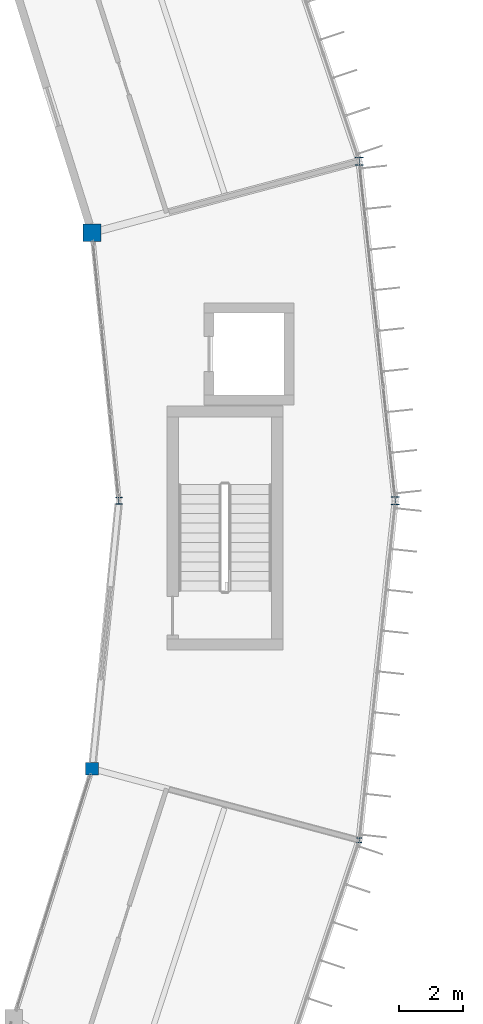
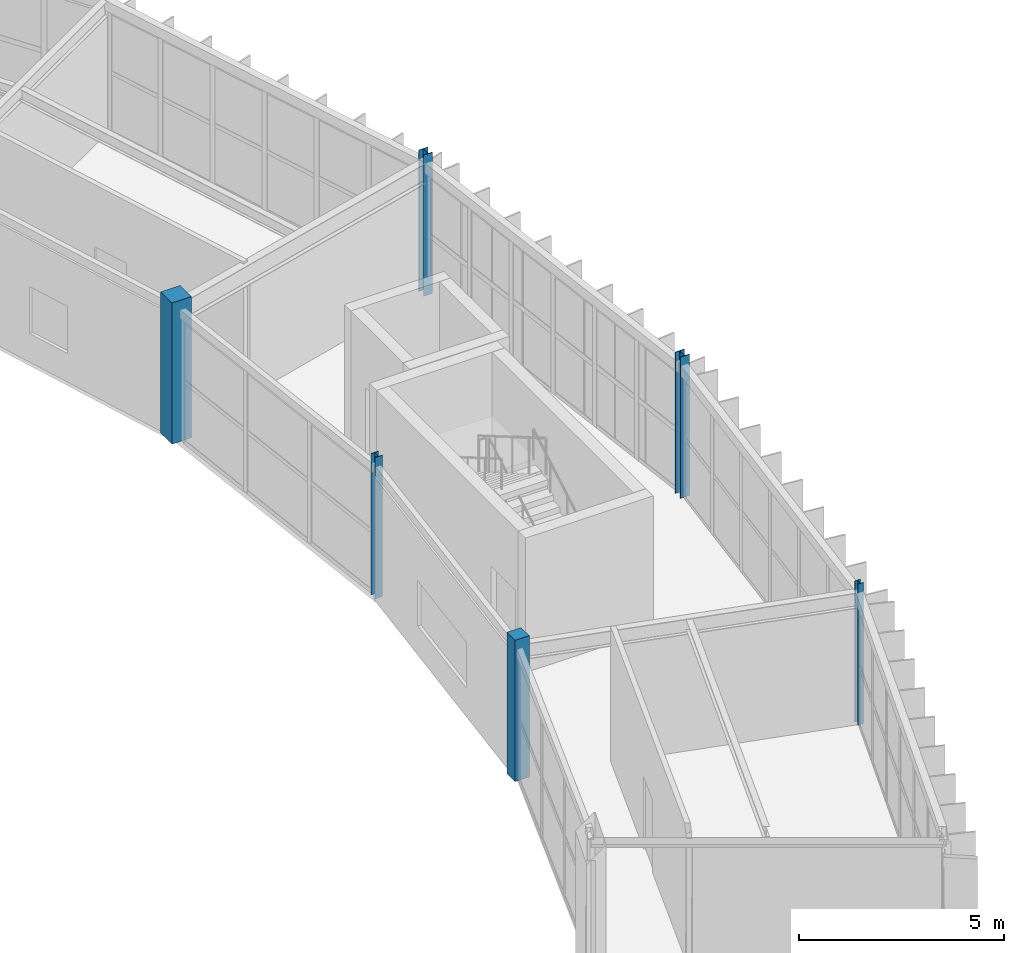
# One storey, part 11 of 130: 6 columns.
"""IFC4 building model written with IfcOpenShell, lengths in metres."""

from ifc_helpers import new_model, si_unit, direction, frame, origin, origin_2d, place, context, subcontext, project, spatial, rectangle, i_section, extrude, material, material_profile, profile_set, type_object, element, save


model = new_model("IFC4")

# Units and contexts
model_context = context("Model", 3, precision=1e-05, world=origin(), true_north=direction((0.0, 1.0)))
body_context = subcontext(model_context, "Body", "Model", "MODEL_VIEW")
ifc_project = project(units=[si_unit("LENGTHUNIT", "METRE"), si_unit("AREAUNIT", "SQUARE_METRE"), si_unit("VOLUMEUNIT", "CUBIC_METRE"), si_unit("PLANEANGLEUNIT", "RADIAN"), si_unit("MASSUNIT", "GRAM", prefix="KILO")], contexts=[model_context])

# Site, building, storey
site_placement = place(None, origin())
site = spatial("IfcSite", under=ifc_project, at=site_placement, CompositionType="ELEMENT")
building_placement = place(site_placement, origin())
building = spatial("IfcBuilding", under=site, at=building_placement, Name="Karori Crest Natural Sciences Institute", CompositionType="ELEMENT")
storey_placement = place(building_placement, frame((0.0, 0.0, 17.5)))
storey = spatial("IfcBuildingStorey", under=building, at=storey_placement, Name="L04", CompositionType="ELEMENT", Elevation=17.5)

# Columns
ifc_material_1 = material(Name="Structural steel AS/NZS 3679.1 Grade 350", Category="steel")
ifc_material_profile_1 = material_profile(ifc_material_1, i_section(OverallWidth=0.256103515625, OverallDepth=0.260009765625, WebThickness=0.010498046875, FlangeThickness=0.017333984375, FilletRadius=0.013916015625, at=origin_2d()), Name="250UC89.5")
ifc_profile_set_1 = profile_set([ifc_material_profile_1], Name="Structural steel AS/NZS 3679.1 Grade 350")
column_type_1 = type_object("IfcColumnType", Name="CT-06", PredefinedType="COLUMN", material=ifc_profile_set_1)
column_1_placement = place(storey_placement, frame((99.39990234375, 49.89990234375, 0.0), z_axis=(0.0, 0.0, 1.0), x_axis=(1.0, 0.0, 0.0)))
element("IfcColumn", 1, at=column_1_placement, inside=storey, type_object=column_type_1, Name="Column C-0011", PredefinedType="COLUMN", context=body_context, shape_type="SweptSolid", body=[
    extrude(i_section(OverallWidth=0.256103515625, OverallDepth=0.260009765625, WebThickness=0.010498046875, FlangeThickness=0.017333984375, FilletRadius=0.013916015625, at=origin_2d()), origin(), (0.0, 0.0, 1.0), 4.199951171875),
])
ifc_material_profile_2 = material_profile(ifc_material_1, i_section(OverallWidth=0.25390625, OverallDepth=0.25390625, WebThickness=0.008544921875, FlangeThickness=0.01416015625, FilletRadius=0.013916015625, at=origin_2d()), Name="250UC72.9")
ifc_profile_set_2 = profile_set([ifc_material_profile_2], Name="Structural steel AS/NZS 3679.1 Grade 350")
column_type_2 = type_object("IfcColumnType", Name="CT-07", PredefinedType="COLUMN", material=ifc_profile_set_2)
column_2_placement = place(storey_placement, frame((98.275634765625, 60.459716796875, 0.0), z_axis=(0.0, 0.0, 1.0), x_axis=(1.0, 0.0, 0.0)))
element("IfcColumn", 2, at=column_2_placement, inside=storey, type_object=column_type_2, Name="Column C-0029", PredefinedType="COLUMN", context=body_context, shape_type="SweptSolid", body=[
    extrude(i_section(OverallWidth=0.25390625, OverallDepth=0.25390625, WebThickness=0.008544921875, FlangeThickness=0.01416015625, FilletRadius=0.013916015625, at=origin_2d()), origin(), (0.0, 0.0, 1.0), 4.199951171875),
])
ifc_material_profile_3 = material_profile(ifc_material_1, i_section(OverallWidth=0.205078125, OverallDepth=0.2099609375, WebThickness=0.00927734375, FlangeThickness=0.01416015625, FilletRadius=0.010986328125, at=origin_2d()), Name="200UC59.5")
ifc_profile_set_3 = profile_set([ifc_material_profile_3], Name="Structural steel AS/NZS 3679.1 Grade 350")
column_type_3 = type_object("IfcColumnType", Name="CT-08", PredefinedType="COLUMN", material=ifc_profile_set_3)
column_3_placement = place(storey_placement, frame((90.800048828125, 49.89990234375, 0.0), z_axis=(0.0, 0.0, 1.0), x_axis=(1.0, 0.0, 0.0)))
element("IfcColumn", 3, at=column_3_placement, inside=storey, type_object=column_type_3, Name="Column C-0012", PredefinedType="COLUMN", context=body_context, shape_type="SweptSolid", body=[
    extrude(i_section(OverallWidth=0.205078125, OverallDepth=0.2099609375, WebThickness=0.00927734375, FlangeThickness=0.01416015625, FilletRadius=0.010986328125, at=origin_2d()), origin(), (0.0, 0.0, 1.0), 4.199951171875),
])
ifc_material_profile_4 = material_profile(ifc_material_1, i_section(OverallWidth=0.154052734375, OverallDepth=0.162109375, WebThickness=0.008056640625, FlangeThickness=0.011474609375, FilletRadius=0.009033203125, at=origin_2d()), Name="150UC37.2")
ifc_profile_set_4 = profile_set([ifc_material_profile_4], Name="Structural steel AS/NZS 3679.1 Grade 350")
column_type_4 = type_object("IfcColumnType", Name="CT-26", PredefinedType="COLUMN", material=ifc_profile_set_4)
column_4_placement = place(storey_placement, frame((98.275634765625, 39.340087890625, 0.0), z_axis=(0.0, 0.0, 1.0), x_axis=(1.0, 0.0, 0.0)))
element("IfcColumn", 4, at=column_4_placement, inside=storey, type_object=column_type_4, Name="Column C-0389", PredefinedType="COLUMN", context=body_context, shape_type="SweptSolid", body=[
    extrude(i_section(OverallWidth=0.154052734375, OverallDepth=0.162109375, WebThickness=0.008056640625, FlangeThickness=0.011474609375, FilletRadius=0.009033203125, at=origin_2d()), origin(), (0.0, 0.0, 1.0), 4.199951171875),
])
ifc_material_2 = material(Name="Concrete 50 MPa", Category="concrete")
ifc_material_profile_5 = material_profile(ifc_material_2, rectangle(XDim=0.550048828125, YDim=0.550048828125, at=origin_2d()), Name="RC550x550")
ifc_profile_set_5 = profile_set([ifc_material_profile_5], Name="Concrete 50 MPa")
column_type_5 = type_object("IfcColumnType", Name="CT-30", PredefinedType="COLUMN", material=ifc_profile_set_5)
column_5_placement = place(storey_placement, frame((89.968505859375, 58.23388671875, 0.0), z_axis=(0.0, 0.0, 1.0), x_axis=(1.0, 0.0, 0.0)))
element("IfcColumn", 5, at=column_5_placement, inside=storey, type_object=column_type_5, Name="Column C-0030", PredefinedType="COLUMN", context=body_context, shape_type="SweptSolid", body=[
    extrude(rectangle(XDim=0.550048828125, YDim=0.550048828125, at=origin_2d()), origin(), (0.0, 0.0, 1.0), 4.199951171875),
])
ifc_material_profile_6 = material_profile(ifc_material_2, rectangle(XDim=0.39990234375, YDim=0.39990234375, at=origin_2d()), Name="RC400x400")
ifc_profile_set_6 = profile_set([ifc_material_profile_6], Name="Concrete 50 MPa")
column_type_6 = type_object("IfcColumnType", Name="CT-31", PredefinedType="PILASTER", material=ifc_profile_set_6)
column_6_placement = place(storey_placement, frame((89.968505859375, 41.56591796875, 0.0), z_axis=(0.0, 0.0, 1.0), x_axis=(1.0, 0.0, 0.0)))
element("IfcColumn", 6, at=column_6_placement, inside=storey, type_object=column_type_6, Name="Column C-0390", PredefinedType="PILASTER", context=body_context, shape_type="SweptSolid", body=[
    extrude(rectangle(XDim=0.39990234375, YDim=0.39990234375, at=origin_2d()), origin(), (0.0, 0.0, 1.0), 4.199951171875),
])

save(model, "model.ifc")
